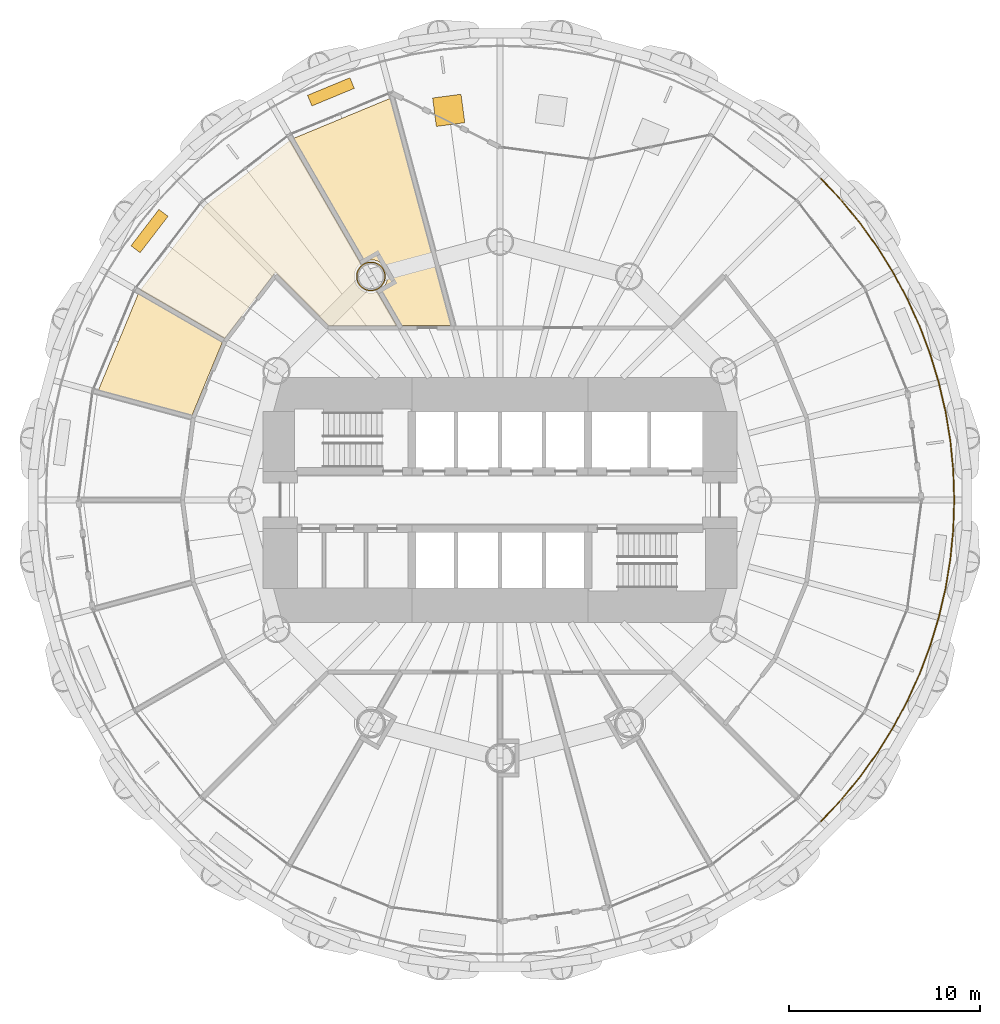
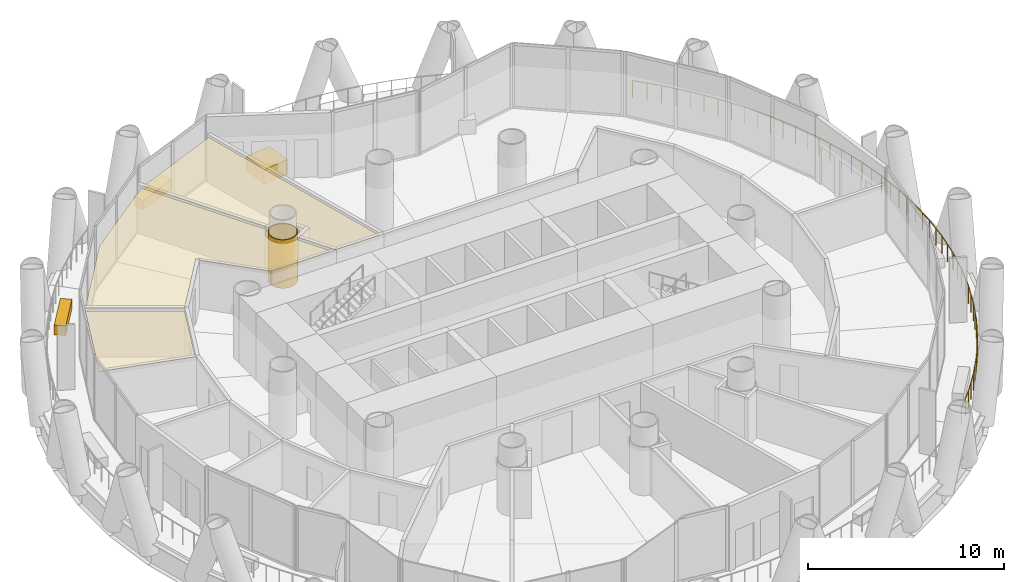
# One storey, part 15 of 16: 7 coverings, 1 railing.
"""IFC4 building model written with IfcOpenShell, lengths in metres."""

import ifcopenshell
import ifcopenshell.guid

model = None  # the IFC model being written
_history = None  # IfcOwnerHistory: only IFC2X3 demands one
_inside = {}  # id of a spatial element -> (the spatial element, [elements in it])
_under = {}  # id of a project, library or spatial element -> (it, [spatial elements below it])
_declared = {}  # id of a project -> (the project, [libraries it declares])
_typed = {}  # id of a type object -> (the type object, [elements of that type])
_made_of = {}  # id of a material, layer set ... -> (it, [elements and type objects made of it])


def new_model(schema):
    """Start an empty IFC model of exactly this schema.

    Asked for "IFC4X3", IfcOpenShell would pick the latest addendum, in which some entities
    have other attributes; the version numbers below select the first issue.
    IFC2X3 requires an IfcOwnerHistory on every rooted entity: one is made here for all.
    """
    global model, _history
    if schema == "IFC4X3":
        model = ifcopenshell.file(schema_version=(4, 3, 0, 0))
    else:
        model = ifcopenshell.file(schema=schema)
    _inside.clear()
    _under.clear()
    _declared.clear()
    _typed.clear()
    _made_of.clear()
    _history = None
    if model.schema == "IFC2X3":
        org = make("IfcOrganization", Name="unknown")
        user = make(
            "IfcPersonAndOrganization",
            ThePerson=make("IfcPerson", FamilyName="unknown"),
            TheOrganization=org,
        )
        app = make(
            "IfcApplication",
            ApplicationDeveloper=org,
            Version="unknown",
            ApplicationFullName="unknown",
            ApplicationIdentifier="unknown",
        )
        _history = make(
            "IfcOwnerHistory",
            OwningUser=user,
            OwningApplication=app,
            ChangeAction="ADDED",
            CreationDate=0,
        )
    return model


def make(cls, **values):
    """One entity of the class cls with the attributes given. An attribute that is None is left unset."""
    return model.create_entity(
        cls, **{name: value for name, value in values.items() if value is not None}
    )


def rooted(cls, **values):
    """An entity with a GlobalId (a new one), such as an element, a storey or a relation."""
    return make(cls, GlobalId=ifcopenshell.guid.new(), OwnerHistory=_history, **values)


def si_unit(unit_type, name, prefix=None):
    """IfcSIUnit, for example si_unit("LENGTHUNIT", "METRE", prefix="MILLI")."""
    return make("IfcSIUnit", UnitType=unit_type, Prefix=prefix, Name=name)


def assignment(units):
    """IfcUnitAssignment: the units of a project."""
    return None if units is None else make("IfcUnitAssignment", Units=units)


def point(xyz):
    """IfcCartesianPoint."""
    return None if xyz is None else make("IfcCartesianPoint", Coordinates=xyz)


def direction(xyz):
    """IfcDirection."""
    return None if xyz is None else make("IfcDirection", DirectionRatios=xyz)


def frame(location, z_axis=None, x_axis=None):
    """IfcAxis2Placement3D, a coordinate frame: its origin and axes. An axis left out is left unset."""
    return make(
        "IfcAxis2Placement3D",
        Location=point(location),
        Axis=direction(z_axis),
        RefDirection=direction(x_axis),
    )


def frame_2d(location, x_axis=None):
    """IfcAxis2Placement2D, a coordinate frame in the plane: its origin and x axis."""
    return make(
        "IfcAxis2Placement2D", Location=point(location), RefDirection=direction(x_axis)
    )


def origin():
    """The frame at (0, 0, 0) with its axes left unset."""
    return frame((0.0, 0.0, 0.0))


def origin_2d():
    """The frame at (0, 0) in the plane with its x axis left unset."""
    return frame_2d((0.0, 0.0))


def place(relative_to, where):
    """IfcLocalPlacement: puts the frame where relative to a parent placement (None: the world)."""
    return make(
        "IfcLocalPlacement", PlacementRelTo=relative_to, RelativePlacement=where
    )


def context(
    kind, dimensions, precision=None, world=None, true_north=None, identifier=None
):
    """IfcGeometricRepresentationContext, for example the 3D "Model" context."""
    return make(
        "IfcGeometricRepresentationContext",
        ContextIdentifier=identifier,
        ContextType=kind,
        CoordinateSpaceDimension=dimensions,
        Precision=precision,
        WorldCoordinateSystem=world,
        TrueNorth=true_north,
    )


def subcontext(parent, identifier, kind, view, scale=None):
    """IfcGeometricRepresentationSubContext, for example "Body" below "Model"."""
    return make(
        "IfcGeometricRepresentationSubContext",
        ContextIdentifier=identifier,
        ContextType=kind,
        ParentContext=parent,
        TargetScale=scale,
        TargetView=view,
    )


def project(units=None, contexts=None):
    """IfcProject with its units and contexts."""
    return rooted(
        "IfcProject",
        Name="project",
        RepresentationContexts=contexts,
        UnitsInContext=assignment(units),
    )


def spatial(cls, under=None, at=None, **own):
    """A site, building, storey or space (cls), placed at a placement, below another one or the project."""
    s = rooted(cls, ObjectPlacement=at, **own)
    if under is not None:
        _under.setdefault(under.id(), (under, []))[1].append(s)
    return s


def polyline(points):
    """IfcPolyline through the points."""
    return make("IfcPolyline", Points=[point(p) for p in points])


def profile(cls, at=None, kind="AREA", **sizes):
    """A parametric profile (cls). Its sizes go by their IFC names, for example OverallWidth=200.0."""
    return make(cls, ProfileType=kind, Position=at, **sizes)


def rectangle(**sizes):
    """IfcRectangleProfileDef."""
    return profile("IfcRectangleProfileDef", **sizes)


def circle(**sizes):
    """IfcCircleProfileDef."""
    return profile("IfcCircleProfileDef", **sizes)


def outline(outer, holes=None, kind="AREA"):
    """IfcArbitraryClosedProfileDef: a profile drawn as a closed curve; with holes, ...WithVoids."""
    if holes is None:
        return make("IfcArbitraryClosedProfileDef", ProfileType=kind, OuterCurve=outer)
    return make(
        "IfcArbitraryProfileDefWithVoids",
        ProfileType=kind,
        OuterCurve=outer,
        InnerCurves=holes,
    )


def extrude(swept, where, along, depth):
    """IfcExtrudedAreaSolid: the profile swept, set in the frame where, extruded along a direction by depth."""
    return make(
        "IfcExtrudedAreaSolid",
        SweptArea=swept,
        Position=where,
        ExtrudedDirection=direction(along),
        Depth=depth,
    )


def shape(context_of_items, identifier, shape_type, items):
    """IfcShapeRepresentation: the items that make up one representation, for example the "Body"."""
    return make(
        "IfcShapeRepresentation",
        ContextOfItems=context_of_items,
        RepresentationIdentifier=identifier,
        RepresentationType=shape_type,
        Items=items,
    )


def material(Name=None, Category=None):
    """IfcMaterial."""
    return make("IfcMaterial", Name=Name, Category=Category)


def layer(
    of_material, thickness, ventilated=None, Name=None, Category=None, Priority=None
):
    """IfcMaterialLayer: one layer of a wall or slab, of a material (None: an air gap)."""
    return make(
        "IfcMaterialLayer",
        Material=of_material,
        LayerThickness=thickness,
        IsVentilated=ventilated,
        Name=Name,
        Category=Category,
        Priority=Priority,
    )


def layer_set(layers, Name=None):
    """IfcMaterialLayerSet."""
    return make("IfcMaterialLayerSet", MaterialLayers=layers, LayerSetName=Name)


def made_of(thing, what):
    """Note that an element or type object is made of a material, layer set ...; save() writes the relation."""
    if what is not None:
        _made_of.setdefault(what.id(), (what, []))[1].append(thing)
    return thing


def type_object(cls, material=None, **own):
    """A type object (cls), such as IfcWallType, which elements share."""
    return made_of(rooted(cls, **own), material)


def element(
    cls,
    number,
    at=None,
    inside=None,
    cuts=None,
    type_object=None,
    material=None,
    context=None,
    identifier="Body",
    shape_type=None,
    held_by="IfcProductDefinitionShape",
    body=None,
    shapes=None,
    **own,
):
    """One element of the class cls, such as IfcWall. Its Tag is "e" and its number.

    at: its placement. inside: the storey or other place that contains it. cuts: it is an
    opening in that element (IfcRelVoidsElement). A single representation is given by context,
    identifier, shape_type and body (its items); several are given by shapes. held_by: the class
    of the entity that holds the representations. save() writes the other relations.
    """
    e = rooted(cls, Tag="e%d" % number, ObjectPlacement=at, **own)
    if body is not None:
        shapes = [shape(context, identifier, shape_type, body)]
    if shapes is not None:
        e.Representation = make(held_by, Representations=shapes)
    if inside is not None:
        _inside.setdefault(inside.id(), (inside, []))[1].append(e)
    if cuts is not None:
        rooted(
            "IfcRelVoidsElement", RelatingBuildingElement=cuts, RelatedOpeningElement=e
        )
    if type_object is not None:
        _typed.setdefault(type_object.id(), (type_object, []))[1].append(e)
    return made_of(e, material)


def aggregate(whole, parts):
    """IfcRelAggregates: a whole, such as a stair, and the parts it consists of."""
    return rooted("IfcRelAggregates", RelatingObject=whole, RelatedObjects=parts)


def save(model, path):
    """Write the relations noted so far, then the file.

    IfcRelAggregates (storeys below a building ...), IfcRelContainedInSpatialStructure (elements
    in a storey), IfcRelDefinesByType, IfcRelAssociatesMaterial and IfcRelDeclares: one each for
    every whole, place, type object, material and project.
    """
    for whole, parts in _under.values():
        aggregate(whole, parts)
    for where, things in _inside.values():
        rooted(
            "IfcRelContainedInSpatialStructure",
            RelatedElements=things,
            RelatingStructure=where,
        )
    for kind, things in _typed.values():
        rooted("IfcRelDefinesByType", RelatedObjects=things, RelatingType=kind)
    for what, things in _made_of.values():
        rooted("IfcRelAssociatesMaterial", RelatedObjects=things, RelatingMaterial=what)
    for by, libraries in _declared.values():
        rooted("IfcRelDeclares", RelatingContext=by, RelatedDefinitions=libraries)
    model.write(path)


model = new_model("IFC4")

# Units and contexts
model_context = context("Model", 3, precision=1e-05, world=origin(), true_north=direction((0.0, 1.0)))
body_context = subcontext(model_context, "Body", "Model", "MODEL_VIEW")
ifc_project = project(units=[si_unit("LENGTHUNIT", "METRE"), si_unit("AREAUNIT", "SQUARE_METRE"), si_unit("VOLUMEUNIT", "CUBIC_METRE"), si_unit("PLANEANGLEUNIT", "RADIAN"), si_unit("MASSUNIT", "GRAM", prefix="KILO")], contexts=[model_context])

# Site, building, storey
site_placement = place(None, origin())
site = spatial("IfcSite", under=ifc_project, at=site_placement, CompositionType="ELEMENT")
building_placement = place(site_placement, origin())
building = spatial("IfcBuilding", under=site, at=building_placement, Name="Qaws Media Tower", CompositionType="ELEMENT")
storey_placement = place(building_placement, frame((0.0, 0.0, 47.0)))
storey = spatial("IfcBuildingStorey", under=building, at=storey_placement, Name="L09", CompositionType="ELEMENT", Elevation=47.0)

# Covering
ifc_material_1 = material(Name="40 perforated acoustic panels with mineral wool backing, suspended", Category="mineral fibre")
ifc_layer_1 = layer(ifc_material_1, 0.0400390625)
ifc_layer_set_1 = layer_set([ifc_layer_1], Name="Acoustic panel ceiling 40")
covering_type_1 = type_object("IfcCoveringType", Name="Acoustic panel ceiling 40", PredefinedType="CEILING", material=ifc_layer_set_1)
covering_1_placement = place(storey_placement, frame((0.0, 0.0, 2.85009765625)))
element("IfcCovering", 1, at=covering_1_placement, inside=storey, type_object=covering_type_1, Name="CL3 ceiling L09-04 Colour grading room", PredefinedType="CEILING", context=body_context, shape_type="SweptSolid", body=[
    extrude(outline(polyline([(44.595458984375, 65.404541015625), (49.017333984375, 68.797607421875), (52.720703125, 62.383056640625), (52.634033203125, 62.30712890625), (52.55908203125, 62.2216796875), (52.49560546875, 62.126708984375), (52.4453125, 62.024658203125), (52.40869140625, 61.916748046875), (52.386474609375, 61.804931640625), (52.37890625, 61.69140625), (52.386474609375, 61.57763671875), (52.40869140625, 61.4658203125), (52.4453125, 61.35791015625), (52.49560546875, 61.255859375), (52.55908203125, 61.1611328125), (52.634033203125, 61.075439453125), (52.7197265625, 61.000244140625), (52.814453125, 60.93701171875), (52.916748046875, 60.88671875), (53.024658203125, 60.85009765625), (53.13623046875, 60.827880859375), (53.25, 60.8203125), (53.36376953125, 60.827880859375), (53.475341796875, 60.85009765625), (53.58447265625, 60.88720703125), (54.60888671875, 59.112548828125), (51.046630859375, 59.112548828125), (48.2509765625, 61.908203125), (45.5947265625, 58.44677734375), (41.202392578125, 60.982666015625), (44.595458984375, 65.404541015625)])), origin(), (0.0, 0.0, 1.0), 0.039794921875),
])

# Railing
ifc_material_2 = material(Name="Stainless steel and glass guard", Category="steel")
railing_type = type_object("IfcRailingType", Name="Balcony guard 1100", PredefinedType="GUARDRAIL", material=ifc_material_2)
railing_placement = place(storey_placement, frame((76.793701171875, 33.206298828125, 0.0)))
element("IfcRailing", 2, at=railing_placement, inside=storey, type_object=railing_type, Name="GR1 balcony guard L09-4", PredefinedType="GUARDRAIL", context=body_context, shape_type="SweptSolid", body=[
    extrude(circle(Radius=0.02392578125, at=origin_2d()), frame((0.0, 0.0, 1.076171875), z_axis=(0.683638001777, 0.729821267522, 0.0), x_axis=(-0.729821267522, 0.683638001777, 0.0)), (0.0, 0.0, 1.0), 1.55419921875),
    extrude(circle(Radius=0.02392578125, at=origin_2d()), frame((1.0625, 1.13427734375, 1.076171875), z_axis=(0.634340684529, 0.773053617773, 0.0), x_axis=(-0.773053617773, 0.634340684529, 0.0)), (0.0, 0.0, 1.0), 1.55419921875),
    extrude(circle(Radius=0.02392578125, at=origin_2d()), frame((2.04833984375, 2.335693359375, 1.076171875), z_axis=(0.582515481773, 0.812819606983, 0.0), x_axis=(-0.812819606983, 0.582515481773, 0.0)), (0.0, 0.0, 1.0), 1.553955078125),
    extrude(circle(Radius=0.02392578125, at=origin_2d()), frame((2.95361328125, 3.598876953125, 1.076171875), z_axis=(0.528105591598, 0.849178711534, 0.0), x_axis=(-0.849178711534, 0.528105591598, 0.0)), (0.0, 0.0, 1.0), 1.55419921875),
    extrude(circle(Radius=0.02392578125, at=origin_2d()), frame((3.7744140625, 4.918701171875, 1.076171875), z_axis=(0.471427829863, 0.881904644069, 0.0), x_axis=(-0.881904644069, 0.471427829863, 0.0)), (0.0, 0.0, 1.0), 1.55419921875),
    extrude(circle(Radius=0.02392578125, at=origin_2d()), frame((4.507080078125, 6.289306640625, 1.076171875), z_axis=(0.412642816459, 0.910892916881, 0.0), x_axis=(-0.910892916881, 0.412642816459, 0.0)), (0.0, 0.0, 1.0), 1.55419921875),
    extrude(circle(Radius=0.02392578125, at=origin_2d()), frame((5.1484375, 7.705078125, 1.076171875), z_axis=(0.352242335956, 0.935908829299, 0.0), x_axis=(-0.935908829299, 0.352242335956, 0.0)), (0.0, 0.0, 1.0), 1.553955078125),
    extrude(circle(Radius=0.02392578125, at=origin_2d()), frame((5.69580078125, 9.159423828125, 1.076171875), z_axis=(0.290286403891, 0.956939811961, 0.0), x_axis=(-0.956939811961, 0.290286403891, 0.0)), (0.0, 0.0, 1.0), 1.55419921875),
    extrude(circle(Radius=0.02392578125, at=origin_2d()), frame((6.14697265625, 10.646728515625, 1.076171875), z_axis=(0.227130304689, 0.97386437695, 0.0), x_axis=(-0.97386437695, 0.227130304689, 0.0)), (0.0, 0.0, 1.0), 1.55419921875),
    extrude(circle(Radius=0.02392578125, at=origin_2d()), frame((6.5, 12.160400390625, 1.076171875), z_axis=(0.162921137125, 0.986639094643, 0.0), x_axis=(-0.986639094643, 0.162921137125, 0.0)), (0.0, 0.0, 1.0), 1.553955078125),
    extrude(circle(Radius=0.02392578125, at=origin_2d()), frame((6.753173828125, 13.693603515625, 1.076171875), z_axis=(0.098010679686, 0.995185362969, 0.0), x_axis=(-0.995185362969, 0.098010679686, 0.0)), (0.0, 0.0, 1.0), 1.554443359375),
    extrude(circle(Radius=0.02392578125, at=origin_2d()), frame((6.905517578125, 15.240478515625, 1.076171875), z_axis=(0.032676661877, 0.999465975293, 0.0), x_axis=(-0.999465975293, 0.032676661877, 0.0)), (0.0, 0.0, 1.0), 1.553955078125),
    extrude(circle(Radius=0.02392578125, at=origin_2d()), frame((6.956298828125, 16.793701171875, 1.076171875), z_axis=(-0.032676661877, 0.999465975293, 0.0), x_axis=(-0.999465975293, -0.032676661877, 0.0)), (0.0, 0.0, 1.0), 1.553955078125),
    extrude(circle(Radius=0.02392578125, at=origin_2d()), frame((6.905517578125, 18.346923828125, 1.076171875), z_axis=(-0.098010679686, 0.995185362969, 0.0), x_axis=(-0.995185362969, -0.098010679686, 0.0)), (0.0, 0.0, 1.0), 1.554443359375),
    extrude(circle(Radius=0.02392578125, at=origin_2d()), frame((6.753173828125, 19.893798828125, 1.076171875), z_axis=(-0.162921137125, 0.986639094643, 0.0), x_axis=(-0.986639094643, -0.162921137125, 0.0)), (0.0, 0.0, 1.0), 1.553955078125),
    extrude(circle(Radius=0.02392578125, at=origin_2d()), frame((6.5, 21.427001953125, 1.076171875), z_axis=(-0.227130304689, 0.97386437695, 0.0), x_axis=(-0.97386437695, -0.227130304689, 0.0)), (0.0, 0.0, 1.0), 1.55419921875),
    extrude(circle(Radius=0.02392578125, at=origin_2d()), frame((6.14697265625, 22.940673828125, 1.076171875), z_axis=(-0.290286403891, 0.956939811961, 0.0), x_axis=(-0.956939811961, -0.290286403891, 0.0)), (0.0, 0.0, 1.0), 1.55419921875),
    extrude(circle(Radius=0.02392578125, at=origin_2d()), frame((5.69580078125, 24.427978515625, 1.076171875), z_axis=(-0.352242335956, 0.935908829299, 0.0), x_axis=(-0.935908829299, -0.352242335956, 0.0)), (0.0, 0.0, 1.0), 1.553955078125),
    extrude(circle(Radius=0.02392578125, at=origin_2d()), frame((5.1484375, 25.88232421875, 1.076171875), z_axis=(-0.412642816459, 0.910892916881, 0.0), x_axis=(-0.910892916881, -0.412642816459, 0.0)), (0.0, 0.0, 1.0), 1.55419921875),
    extrude(circle(Radius=0.02392578125, at=origin_2d()), frame((4.507080078125, 27.298095703125, 1.076171875), z_axis=(-0.471427829863, 0.881904644069, 0.0), x_axis=(-0.881904644069, -0.471427829863, 0.0)), (0.0, 0.0, 1.0), 1.55419921875),
    extrude(circle(Radius=0.02392578125, at=origin_2d()), frame((3.7744140625, 28.668701171875, 1.076171875), z_axis=(-0.528105591598, 0.849178711534, 0.0), x_axis=(-0.849178711534, -0.528105591598, 0.0)), (0.0, 0.0, 1.0), 1.55419921875),
    extrude(circle(Radius=0.02392578125, at=origin_2d()), frame((2.95361328125, 29.988525390625, 1.076171875), z_axis=(-0.582515481773, 0.812819606983, 0.0), x_axis=(-0.812819606983, -0.582515481773, 0.0)), (0.0, 0.0, 1.0), 1.553955078125),
    extrude(circle(Radius=0.02392578125, at=origin_2d()), frame((2.04833984375, 31.251708984375, 1.076171875), z_axis=(-0.634340684529, 0.773053617773, 0.0), x_axis=(-0.773053617773, -0.634340684529, 0.0)), (0.0, 0.0, 1.0), 1.55419921875),
    extrude(circle(Radius=0.02392578125, at=origin_2d()), frame((1.0625, 32.453125, 1.076171875), z_axis=(-0.683638001777, 0.729821267522, 0.0), x_axis=(-0.729821267522, -0.683638001777, 0.0)), (0.0, 0.0, 1.0), 1.55419921875),
    extrude(circle(Radius=0.02099609375, at=origin_2d()), origin(), (0.0, 0.0, 1.0), 1.052001953125),
    extrude(circle(Radius=0.02099609375, at=origin_2d()), frame((0.53125, 0.567138671875, 0.0)), (0.0, 0.0, 1.0), 1.052001953125),
    extrude(circle(Radius=0.02099609375, at=origin_2d()), frame((1.0625, 1.13427734375, 0.0)), (0.0, 0.0, 1.0), 1.052001953125),
    extrude(circle(Radius=0.02099609375, at=origin_2d()), frame((1.555419921875, 1.73486328125, 0.0)), (0.0, 0.0, 1.0), 1.052001953125),
    extrude(circle(Radius=0.02099609375, at=origin_2d()), frame((2.04833984375, 2.335693359375, 0.0)), (0.0, 0.0, 1.0), 1.052001953125),
    extrude(circle(Radius=0.02099609375, at=origin_2d()), frame((2.5009765625, 2.96728515625, 0.0)), (0.0, 0.0, 1.0), 1.052001953125),
    extrude(circle(Radius=0.02099609375, at=origin_2d()), frame((2.95361328125, 3.598876953125, 0.0)), (0.0, 0.0, 1.0), 1.052001953125),
    extrude(circle(Radius=0.02099609375, at=origin_2d()), frame((3.364013671875, 4.2587890625, 0.0)), (0.0, 0.0, 1.0), 1.052001953125),
    extrude(circle(Radius=0.02099609375, at=origin_2d()), frame((3.7744140625, 4.918701171875, 0.0)), (0.0, 0.0, 1.0), 1.052001953125),
    extrude(circle(Radius=0.02099609375, at=origin_2d()), frame((4.140625, 5.60400390625, 0.0)), (0.0, 0.0, 1.0), 1.052001953125),
    extrude(circle(Radius=0.02099609375, at=origin_2d()), frame((4.507080078125, 6.289306640625, 0.0)), (0.0, 0.0, 1.0), 1.052001953125),
    extrude(circle(Radius=0.02099609375, at=origin_2d()), frame((4.82763671875, 6.9970703125, 0.0)), (0.0, 0.0, 1.0), 1.052001953125),
    extrude(circle(Radius=0.02099609375, at=origin_2d()), frame((5.1484375, 7.705078125, 0.0)), (0.0, 0.0, 1.0), 1.052001953125),
    extrude(circle(Radius=0.02099609375, at=origin_2d()), frame((5.422119140625, 8.43212890625, 0.0)), (0.0, 0.0, 1.0), 1.052001953125),
    extrude(circle(Radius=0.02099609375, at=origin_2d()), frame((5.69580078125, 9.159423828125, 0.0)), (0.0, 0.0, 1.0), 1.052001953125),
    extrude(circle(Radius=0.02099609375, at=origin_2d()), frame((5.92138671875, 9.903076171875, 0.0)), (0.0, 0.0, 1.0), 1.052001953125),
    extrude(circle(Radius=0.02099609375, at=origin_2d()), frame((6.14697265625, 10.646728515625, 0.0)), (0.0, 0.0, 1.0), 1.052001953125),
    extrude(circle(Radius=0.02099609375, at=origin_2d()), frame((6.323486328125, 11.403564453125, 0.0)), (0.0, 0.0, 1.0), 1.052001953125),
    extrude(circle(Radius=0.02099609375, at=origin_2d()), frame((6.5, 12.160400390625, 0.0)), (0.0, 0.0, 1.0), 1.052001953125),
    extrude(circle(Radius=0.02099609375, at=origin_2d()), frame((6.62646484375, 12.927001953125, 0.0)), (0.0, 0.0, 1.0), 1.052001953125),
    extrude(circle(Radius=0.02099609375, at=origin_2d()), frame((6.753173828125, 13.693603515625, 0.0)), (0.0, 0.0, 1.0), 1.052001953125),
    extrude(circle(Radius=0.02099609375, at=origin_2d()), frame((6.829345703125, 14.467041015625, 0.0)), (0.0, 0.0, 1.0), 1.052001953125),
    extrude(circle(Radius=0.02099609375, at=origin_2d()), frame((6.905517578125, 15.240478515625, 0.0)), (0.0, 0.0, 1.0), 1.052001953125),
    extrude(circle(Radius=0.02099609375, at=origin_2d()), frame((6.930908203125, 16.01708984375, 0.0)), (0.0, 0.0, 1.0), 1.052001953125),
    extrude(circle(Radius=0.02099609375, at=origin_2d()), frame((6.956298828125, 16.793701171875, 0.0)), (0.0, 0.0, 1.0), 1.052001953125),
    extrude(circle(Radius=0.02099609375, at=origin_2d()), frame((6.930908203125, 17.5703125, 0.0)), (0.0, 0.0, 1.0), 1.052001953125),
    extrude(circle(Radius=0.02099609375, at=origin_2d()), frame((6.905517578125, 18.346923828125, 0.0)), (0.0, 0.0, 1.0), 1.052001953125),
    extrude(circle(Radius=0.02099609375, at=origin_2d()), frame((6.829345703125, 19.120361328125, 0.0)), (0.0, 0.0, 1.0), 1.052001953125),
    extrude(circle(Radius=0.02099609375, at=origin_2d()), frame((6.753173828125, 19.893798828125, 0.0)), (0.0, 0.0, 1.0), 1.052001953125),
    extrude(circle(Radius=0.02099609375, at=origin_2d()), frame((6.62646484375, 20.660400390625, 0.0)), (0.0, 0.0, 1.0), 1.052001953125),
    extrude(circle(Radius=0.02099609375, at=origin_2d()), frame((6.5, 21.427001953125, 0.0)), (0.0, 0.0, 1.0), 1.052001953125),
    extrude(circle(Radius=0.02099609375, at=origin_2d()), frame((6.323486328125, 22.183837890625, 0.0)), (0.0, 0.0, 1.0), 1.052001953125),
    extrude(circle(Radius=0.02099609375, at=origin_2d()), frame((6.14697265625, 22.940673828125, 0.0)), (0.0, 0.0, 1.0), 1.052001953125),
    extrude(circle(Radius=0.02099609375, at=origin_2d()), frame((5.92138671875, 23.684326171875, 0.0)), (0.0, 0.0, 1.0), 1.052001953125),
    extrude(circle(Radius=0.02099609375, at=origin_2d()), frame((5.69580078125, 24.427978515625, 0.0)), (0.0, 0.0, 1.0), 1.052001953125),
    extrude(circle(Radius=0.02099609375, at=origin_2d()), frame((5.422119140625, 25.1552734375, 0.0)), (0.0, 0.0, 1.0), 1.052001953125),
    extrude(circle(Radius=0.02099609375, at=origin_2d()), frame((5.1484375, 25.88232421875, 0.0)), (0.0, 0.0, 1.0), 1.052001953125),
    extrude(circle(Radius=0.02099609375, at=origin_2d()), frame((4.82763671875, 26.59033203125, 0.0)), (0.0, 0.0, 1.0), 1.052001953125),
    extrude(circle(Radius=0.02099609375, at=origin_2d()), frame((4.507080078125, 27.298095703125, 0.0)), (0.0, 0.0, 1.0), 1.052001953125),
    extrude(circle(Radius=0.02099609375, at=origin_2d()), frame((4.140625, 27.9833984375, 0.0)), (0.0, 0.0, 1.0), 1.052001953125),
    extrude(circle(Radius=0.02099609375, at=origin_2d()), frame((3.7744140625, 28.668701171875, 0.0)), (0.0, 0.0, 1.0), 1.052001953125),
    extrude(circle(Radius=0.02099609375, at=origin_2d()), frame((3.364013671875, 29.32861328125, 0.0)), (0.0, 0.0, 1.0), 1.052001953125),
    extrude(circle(Radius=0.02099609375, at=origin_2d()), frame((2.95361328125, 29.988525390625, 0.0)), (0.0, 0.0, 1.0), 1.052001953125),
    extrude(circle(Radius=0.02099609375, at=origin_2d()), frame((2.5009765625, 30.6201171875, 0.0)), (0.0, 0.0, 1.0), 1.052001953125),
    extrude(circle(Radius=0.02099609375, at=origin_2d()), frame((2.04833984375, 31.251708984375, 0.0)), (0.0, 0.0, 1.0), 1.052001953125),
    extrude(circle(Radius=0.02099609375, at=origin_2d()), frame((1.555419921875, 31.8525390625, 0.0)), (0.0, 0.0, 1.0), 1.052001953125),
    extrude(circle(Radius=0.02099609375, at=origin_2d()), frame((1.0625, 32.453125, 0.0)), (0.0, 0.0, 1.0), 1.052001953125),
    extrude(circle(Radius=0.02099609375, at=origin_2d()), frame((0.53125, 33.020263671875, 0.0)), (0.0, 0.0, 1.0), 1.052001953125),
    extrude(circle(Radius=0.02099609375, at=origin_2d()), frame((0.0, 33.58740234375, 0.0)), (0.0, 0.0, 1.0), 1.052001953125),
])

# Coverings
ifc_material_3 = material(Name="Two layers 15 fire-rated gypsum board on steel framing", Category="steel")
ifc_layer_2 = layer(ifc_material_3, 0.050048828125)
ifc_layer_set_2 = layer_set([ifc_layer_2], Name="Column fire casing")
covering_type_2 = type_object("IfcCoveringType", Name="Column fire casing", PredefinedType="CLADDING", material=ifc_layer_set_2)
covering_2_placement = place(storey_placement, origin())
element("IfcCovering", 3, at=covering_2_placement, inside=storey, type_object=covering_type_2, Name="CC1 column casing L09", PredefinedType="CLADDING", context=body_context, shape_type="SweptSolid", body=[
    extrude(outline(polyline([(54.01611328125, 61.69140625), (54.009521484375, 61.59130859375), (53.989990234375, 61.4931640625), (53.957763671875, 61.398193359375), (53.913330078125, 61.308349609375), (53.857666015625, 61.22509765625), (53.79150390625, 61.149658203125), (53.71630859375, 61.08349609375), (53.633056640625, 61.028076171875), (53.543212890625, 60.983642578125), (53.4482421875, 60.951416015625), (53.35009765625, 60.931884765625), (53.25, 60.92529296875), (53.14990234375, 60.931884765625), (53.0517578125, 60.951416015625), (52.956787109375, 60.983642578125), (52.866943359375, 61.028076171875), (52.78369140625, 61.08349609375), (52.70849609375, 61.149658203125), (52.642333984375, 61.22509765625), (52.586669921875, 61.308349609375), (52.542236328125, 61.398193359375), (52.510009765625, 61.4931640625), (52.490478515625, 61.59130859375), (52.48388671875, 61.69140625), (52.490478515625, 61.791259765625), (52.510009765625, 61.8896484375), (52.542236328125, 61.984619140625), (52.586669921875, 62.07421875), (52.642333984375, 62.15771484375), (52.70849609375, 62.23291015625), (52.78369140625, 62.299072265625), (52.866943359375, 62.354736328125), (52.956787109375, 62.39892578125), (53.0517578125, 62.43115234375), (53.14990234375, 62.45068359375), (53.25, 62.457275390625), (53.35009765625, 62.45068359375), (53.4482421875, 62.43115234375), (53.543212890625, 62.39892578125), (53.633056640625, 62.354736328125), (53.71630859375, 62.299072265625), (53.79150390625, 62.23291015625), (53.857666015625, 62.15771484375), (53.913330078125, 62.07421875), (53.957763671875, 61.984619140625), (53.989990234375, 61.8896484375), (54.009521484375, 61.791259765625), (54.01611328125, 61.69140625)]), holes=[polyline([(53.964111328125, 61.69140625), (53.9580078125, 61.59814453125), (53.939697265625, 61.506591796875), (53.90966796875, 61.418212890625), (53.868408203125, 61.334228515625), (53.81640625, 61.256591796875), (53.7548828125, 61.1865234375), (53.684814453125, 61.125), (53.60693359375, 61.072998046875), (53.523193359375, 61.03173828125), (53.434814453125, 61.001708984375), (53.34326171875, 60.9833984375), (53.25, 60.977294921875), (53.15673828125, 60.9833984375), (53.065185546875, 61.001708984375), (52.976806640625, 61.03173828125), (52.89306640625, 61.072998046875), (52.815185546875, 61.125), (52.7451171875, 61.1865234375), (52.68359375, 61.256591796875), (52.631591796875, 61.334228515625), (52.59033203125, 61.418212890625), (52.560302734375, 61.506591796875), (52.5419921875, 61.59814453125), (52.535888671875, 61.69140625), (52.5419921875, 61.784423828125), (52.560302734375, 61.876220703125), (52.59033203125, 61.964599609375), (52.631591796875, 62.04833984375), (52.68359375, 62.1259765625), (52.7451171875, 62.1962890625), (52.815185546875, 62.2578125), (52.89306640625, 62.309814453125), (52.976806640625, 62.35107421875), (53.065185546875, 62.381103515625), (53.15673828125, 62.399169921875), (53.25, 62.4052734375), (53.34326171875, 62.399169921875), (53.434814453125, 62.381103515625), (53.523193359375, 62.35107421875), (53.60693359375, 62.309814453125), (53.684814453125, 62.2578125), (53.7548828125, 62.1962890625), (53.81640625, 62.1259765625), (53.868408203125, 62.04833984375), (53.90966796875, 61.964599609375), (53.939697265625, 61.876220703125), (53.9580078125, 61.784423828125), (53.964111328125, 61.69140625)])]), origin(), (0.0, 0.0, 1.0), 3.02001953125),
])
ifc_material_4 = material(Name="600 x 600 mineral fibre tiles in exposed grid, suspended", Category="mineral fibre")
ifc_layer_3 = layer(ifc_material_4, 0.02001953125)
ifc_layer_set_3 = layer_set([ifc_layer_3], Name="Mineral fibre tile ceiling 20")
covering_type_3 = type_object("IfcCoveringType", Name="Mineral fibre tile ceiling 20", PredefinedType="CEILING", material=ifc_layer_set_3)
covering_3_placement = place(storey_placement, frame((0.0, 0.0, 2.85009765625)))
element("IfcCovering", 4, at=covering_3_placement, inside=storey, type_object=covering_type_3, Name="CL1 ceiling L09-05 Edit room", PredefinedType="CEILING", context=body_context, shape_type="SweptSolid", body=[
    extrude(outline(polyline([(41.090087890625, 60.787841796875), (45.482421875, 58.251953125), (43.8994140625, 54.4306640625), (39.00048828125, 55.743408203125), (41.090087890625, 60.787841796875)])), origin(), (0.0, 0.0, 1.0), 0.02001953125),
])
ifc_material_5 = material(Name="Precast concrete planter with trailing planting", Category="concrete")
ifc_layer_4 = layer(ifc_material_5, 0.60009765625)
ifc_layer_set_4 = layer_set([ifc_layer_4], Name="Planter 2400x600")
covering_type_4 = type_object("IfcCoveringType", Name="Planter 2400x600", PredefinedType="USERDEFINED", material=ifc_layer_set_4)
for number, where, z_axis, x_axis, name in (
    (5, (51.159912109375, 71.341552734375, 0.0), (0.0, 0.0, 1.0), (-0.923879532511, -0.382683432365, 0.0), "PL1 balcony planter L09-04"),
    (6, (41.673583984375, 64.0625, 0.0), (0.0, 0.0, 1.0), (-0.608761429009, -0.793353340291, 0.0), "PL1 balcony planter L09-05"),
):
    element("IfcCovering", number, at=place(storey_placement, frame(where, z_axis=z_axis, x_axis=x_axis)), inside=storey, type_object=covering_type_4, Name=name, ObjectType="PLANTER", PredefinedType="USERDEFINED", context=body_context, shape_type="SweptSolid", body=[
        extrude(rectangle(XDim=2.39990234375, YDim=0.60009765625, at=origin_2d()), origin(), (0.0, 0.0, 1.0), 0.60009765625),
    ])
ifc_material_6 = material(Name="Two layers 12.5 moisture-resistant plasterboard on suspended metal furring", Category="gypsum")
ifc_layer_5 = layer(ifc_material_6, 0.02490234375)
ifc_layer_set_5 = layer_set([ifc_layer_5], Name="Plasterboard ceiling 25")
covering_type_5 = type_object("IfcCoveringType", Name="Plasterboard ceiling 25", PredefinedType="CEILING", material=ifc_layer_set_5)
covering_4_placement = place(storey_placement, frame((0.0, 0.0, 2.85009765625)))
element("IfcCovering", 7, at=covering_4_placement, inside=storey, type_object=covering_type_5, Name="CL2 ceiling L09-03 Media asset room", PredefinedType="CEILING", context=body_context, shape_type="SweptSolid", body=[
    extrude(outline(polyline([(54.256591796875, 70.99951171875), (57.44189453125, 59.112548828125), (54.868896484375, 59.112548828125), (53.779296875, 60.999755859375), (53.865966796875, 61.075439453125), (53.94091796875, 61.1611328125), (54.00439453125, 61.255859375), (54.0546875, 61.35791015625), (54.09130859375, 61.4658203125), (54.113525390625, 61.57763671875), (54.12109375, 61.69140625), (54.113525390625, 61.804931640625), (54.09130859375, 61.916748046875), (54.0546875, 62.024658203125), (54.00439453125, 62.126708984375), (53.94091796875, 62.2216796875), (53.865966796875, 62.30712890625), (53.7802734375, 62.38232421875), (53.685546875, 62.44580078125), (53.583251953125, 62.49609375), (53.475341796875, 62.53271484375), (53.36376953125, 62.554931640625), (53.25, 62.562255859375), (53.13623046875, 62.554931640625), (53.024658203125, 62.53271484375), (52.91552734375, 62.49560546875), (49.212158203125, 68.909912109375), (54.256591796875, 70.99951171875)])), origin(), (0.0, 0.0, 1.0), 0.02490234375),
])
ifc_material_7 = material(Name="Precast concrete tree planter", Category="concrete")
ifc_layer_6 = layer(ifc_material_7, 0.89990234375)
ifc_layer_set_6 = layer_set([ifc_layer_6], Name="Tree planter 1500")
covering_type_6 = type_object("IfcCoveringType", Name="Tree planter 1500", PredefinedType="USERDEFINED", material=ifc_layer_set_6)
covering_5_placement = place(storey_placement, frame((57.317626953125, 70.374267578125, 0.0), z_axis=(0.0, 0.0, 1.0), x_axis=(-0.13052619222, 0.991444861374, 0.0)))
element("IfcCovering", 8, at=covering_5_placement, inside=storey, type_object=covering_type_6, Name="PL2 sky garden tree planter L09-3", ObjectType="PLANTER", PredefinedType="USERDEFINED", context=body_context, shape_type="SweptSolid", body=[
    extrude(rectangle(XDim=1.5, YDim=1.5, at=origin_2d()), origin(), (0.0, 0.0, 1.0), 0.89990234375),
])

save(model, "model.ifc")
